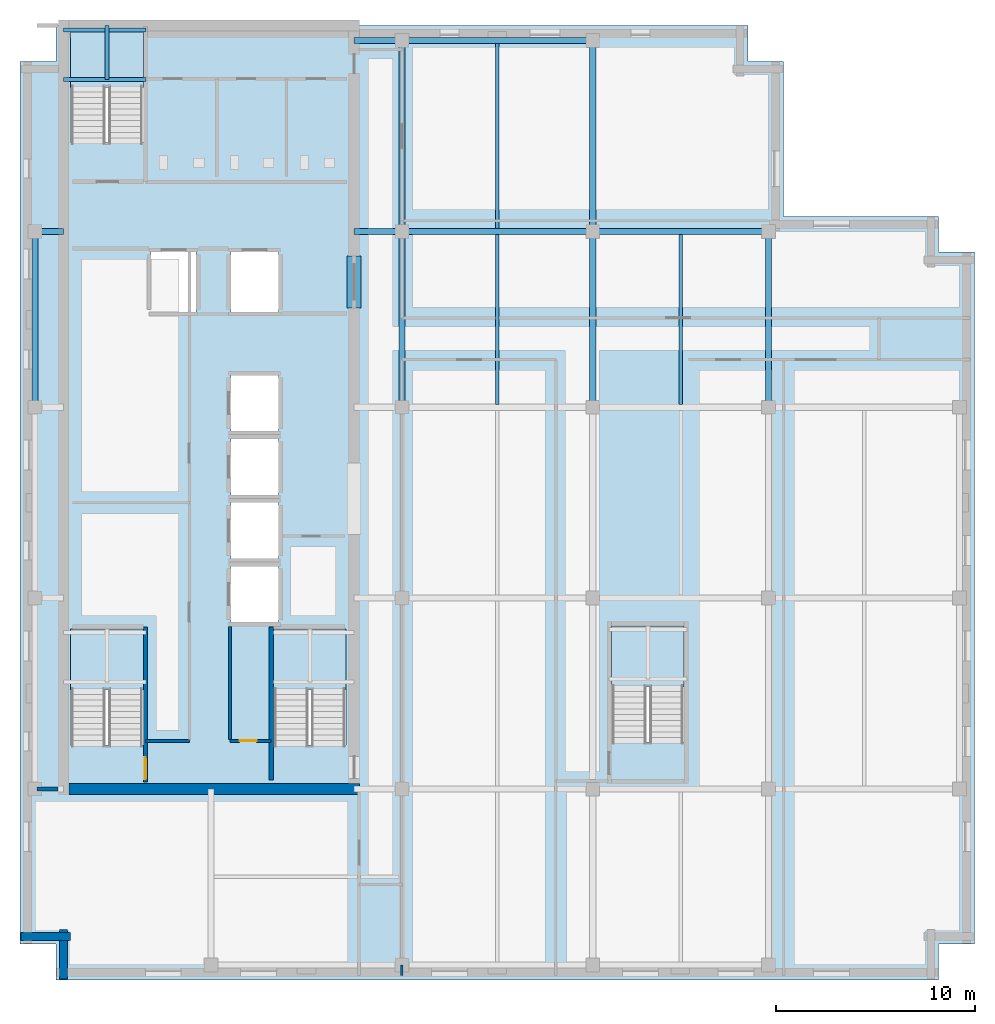
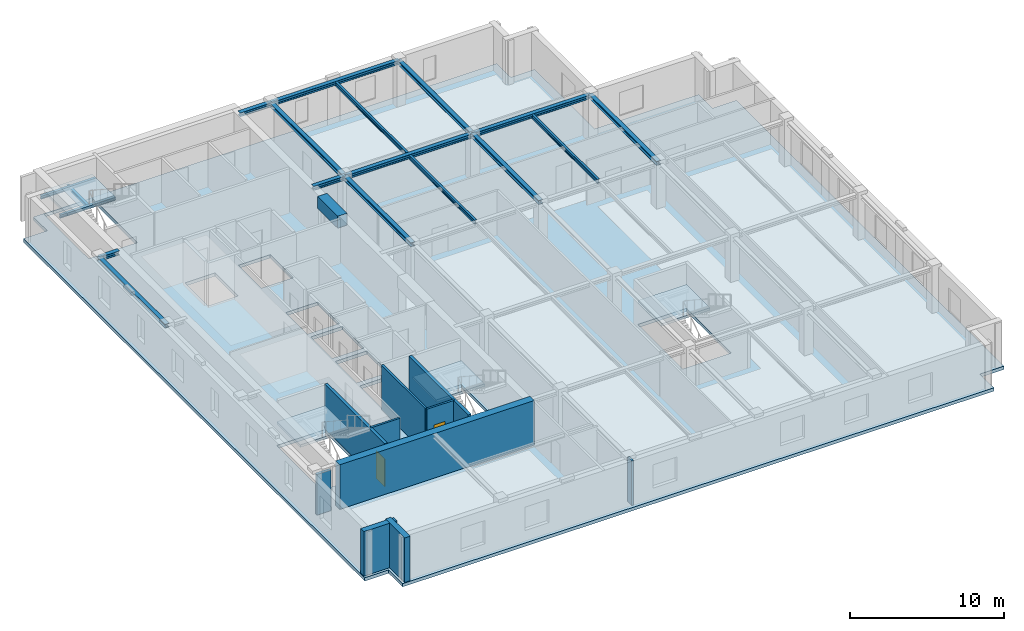
# One storey, part 2 of 11: 19 beams, 10 walls, 5 slabs, 2 doors, 2 openings, 4 elements without a shape of their own.
"""IFC4 building model written with IfcOpenShell, lengths in metres."""

from ifc_helpers import new_model, si_unit, direction, frame, frame_2d, origin, origin_2d, place, context, subcontext, project, spatial, polyline, rectangle, i_section, outline, extrude, material, layer, layer_set, material_profile, profile_set, type_object, element, fill, aggregate, save


model = new_model("IFC4")

# Units and contexts
model_context = context("Model", 3, precision=1e-05, world=origin(), true_north=direction((0.0, 1.0)))
body_context = subcontext(model_context, "Body", "Model", "MODEL_VIEW")
ifc_project = project(units=[si_unit("LENGTHUNIT", "METRE"), si_unit("AREAUNIT", "SQUARE_METRE"), si_unit("VOLUMEUNIT", "CUBIC_METRE"), si_unit("PLANEANGLEUNIT", "RADIAN"), si_unit("MASSUNIT", "GRAM", prefix="KILO")], contexts=[model_context])

# Site, building, storey
site_placement = place(None, origin())
site = spatial("IfcSite", under=ifc_project, at=site_placement, CompositionType="ELEMENT")
building_placement = place(site_placement, origin())
building = spatial("IfcBuilding", under=site, at=building_placement, Name="Norrvale University Quadrangle", CompositionType="ELEMENT")
storey_placement = place(building_placement, frame((0.0, 0.0, 300.0)))
storey = spatial("IfcBuildingStorey", under=building, at=storey_placement, Name="L76", CompositionType="ELEMENT", Elevation=300.0)

# Beams
ifc_material_1 = material(Name="Steel 350W", Category="steel")
ifc_material_profile_1 = material_profile(ifc_material_1, i_section(OverallWidth=0.1669921875, OverallDepth=0.31689453125, WebThickness=0.007568359375, FlangeThickness=0.01318359375, FilletRadius=0.010009765625, at=origin_2d()), Name="Steel 350W")
ifc_profile_set_1 = profile_set([ifc_material_profile_1], Name="Steel 350W")
beam_type_1 = type_object("IfcBeamType", Name="Beam Canopy Purlin W310x52", PredefinedType="USERDEFINED", material=ifc_profile_set_1)
beam_1_placement = place(storey_placement, frame((24.0, 28.952392578125, 3.381591796875), z_axis=(0.0, 1.0, 0.0), x_axis=(-1.0, 0.0, 0.0)))
element("IfcBeam", 1, at=beam_1_placement, inside=storey, type_object=beam_type_1, Name="Beam Canopy Purlin W310x52 BM-L76-J047", ObjectType="PURLIN", PredefinedType="USERDEFINED", context=body_context, shape_type="SweptSolid", body=[
    extrude(i_section(OverallWidth=0.1669921875, OverallDepth=0.31689453125, WebThickness=0.007568359375, FlangeThickness=0.01318359375, FilletRadius=0.010009765625, at=origin_2d()), origin(), (0.0, 0.0, 1.0), 8.545166015625),
])
beam_2_placement = place(storey_placement, frame((24.0, 37.802490234375, 3.381591796875), z_axis=(0.0, 1.0, 0.0), x_axis=(-1.0, 0.0, 0.0)))
element("IfcBeam", 2, at=beam_2_placement, inside=storey, type_object=beam_type_1, Name="Beam Canopy Purlin W310x52 BM-L76-J048", ObjectType="PURLIN", PredefinedType="USERDEFINED", context=body_context, shape_type="SweptSolid", body=[
    extrude(i_section(OverallWidth=0.1669921875, OverallDepth=0.31689453125, WebThickness=0.007568359375, FlangeThickness=0.01318359375, FilletRadius=0.010009765625, at=origin_2d()), origin(), (0.0, 0.0, 1.0), 9.294921875),
])
beam_3_placement = place(storey_placement, frame((33.22509765625, 28.952392578125, 3.381591796875), z_axis=(0.0, 1.0, 0.0), x_axis=(-1.0, 0.0, 0.0)))
element("IfcBeam", 3, at=beam_3_placement, inside=storey, type_object=beam_type_1, Name="Beam Canopy Purlin W310x52 BM-L76-J051", ObjectType="PURLIN", PredefinedType="USERDEFINED", context=body_context, shape_type="SweptSolid", body=[
    extrude(i_section(OverallWidth=0.1669921875, OverallDepth=0.31689453125, WebThickness=0.007568359375, FlangeThickness=0.01318359375, FilletRadius=0.010009765625, at=origin_2d()), origin(), (0.0, 0.0, 1.0), 8.545166015625),
])
ifc_material_profile_2 = material_profile(ifc_material_1, i_section(OverallWidth=0.304931640625, OverallDepth=0.30810546875, WebThickness=0.010009765625, FlangeThickness=0.015380859375, FilletRadius=0.014892578125, at=origin_2d()), Name="Steel 350W")
ifc_profile_set_2 = profile_set([ifc_material_profile_2], Name="Steel 350W")
beam_type_2 = type_object("IfcBeamType", Name="Beam Canopy W310x97", PredefinedType="BEAM", material=ifc_profile_set_2)
beam_4_placement = place(storey_placement, frame((19.199951171875, 37.64990234375, 3.385986328125), z_axis=(1.0, 0.0, 0.0), x_axis=(0.0, 1.0, 0.0)))
element("IfcBeam", 4, at=beam_4_placement, inside=storey, type_object=beam_type_2, Name="Beam Canopy W310x97 BM-L76-GX013", PredefinedType="BEAM", context=body_context, shape_type="SweptSolid", body=[
    extrude(i_section(OverallWidth=0.304931640625, OverallDepth=0.30810546875, WebThickness=0.010009765625, FlangeThickness=0.015380859375, FilletRadius=0.014892578125, at=origin_2d()), origin(), (0.0, 0.0, 1.0), 9.60009765625),
])
beam_5_placement = place(storey_placement, frame((28.800048828125, 37.64990234375, 3.385986328125), z_axis=(1.0, 0.0, 0.0), x_axis=(0.0, 1.0, 0.0)))
element("IfcBeam", 5, at=beam_5_placement, inside=storey, type_object=beam_type_2, Name="Beam Canopy W310x97 BM-L76-GX014", PredefinedType="BEAM", context=body_context, shape_type="SweptSolid", body=[
    extrude(i_section(OverallWidth=0.304931640625, OverallDepth=0.30810546875, WebThickness=0.010009765625, FlangeThickness=0.015380859375, FilletRadius=0.014892578125, at=origin_2d()), origin(), (0.0, 0.0, 1.0), 8.849853515625),
])
beam_6_placement = place(storey_placement, frame((19.199951171875, 47.25, 3.385986328125), z_axis=(1.0, 0.0, 0.0), x_axis=(0.0, 1.0, 0.0)))
element("IfcBeam", 6, at=beam_6_placement, inside=storey, type_object=beam_type_2, Name="Beam Canopy W310x97 BM-L76-GX015", PredefinedType="BEAM", context=body_context, shape_type="SweptSolid", body=[
    extrude(i_section(OverallWidth=0.304931640625, OverallDepth=0.30810546875, WebThickness=0.010009765625, FlangeThickness=0.015380859375, FilletRadius=0.014892578125, at=origin_2d()), origin(), (0.0, 0.0, 1.0), 9.60009765625),
])
for number, where, z_axis, x_axis, name in (
    (7, (0.75, 28.800048828125, 3.385986328125), (0.0, 1.0, 0.0), (-1.0, 0.0, 0.0), "Beam Canopy W310x97 BM-L76-GY018"),
    (8, (19.199951171875, 28.800048828125, 3.385986328125), (0.0, 1.0, 0.0), (-1.0, 0.0, 0.0), "Beam Canopy W310x97 BM-L76-GY022"),
):
    element("IfcBeam", number, at=place(storey_placement, frame(where, z_axis=z_axis, x_axis=x_axis)), inside=storey, type_object=beam_type_2, Name=name, PredefinedType="BEAM", context=body_context, shape_type="SweptSolid", body=[
        extrude(i_section(OverallWidth=0.304931640625, OverallDepth=0.30810546875, WebThickness=0.010009765625, FlangeThickness=0.015380859375, FilletRadius=0.014892578125, at=origin_2d()), origin(), (0.0, 0.0, 1.0), 8.849853515625),
    ])
beam_7_placement = place(storey_placement, frame((19.199951171875, 37.64990234375, 3.385986328125), z_axis=(0.0, 1.0, 0.0), x_axis=(-1.0, 0.0, 0.0)))
element("IfcBeam", 9, at=beam_7_placement, inside=storey, type_object=beam_type_2, Name="Beam Canopy W310x97 BM-L76-GY023", PredefinedType="BEAM", context=body_context, shape_type="SweptSolid", body=[
    extrude(i_section(OverallWidth=0.304931640625, OverallDepth=0.30810546875, WebThickness=0.010009765625, FlangeThickness=0.015380859375, FilletRadius=0.014892578125, at=origin_2d()), origin(), (0.0, 0.0, 1.0), 9.60009765625),
])
beam_8_placement = place(storey_placement, frame((28.800048828125, 28.800048828125, 3.385986328125), z_axis=(0.0, 1.0, 0.0), x_axis=(-1.0, 0.0, 0.0)))
element("IfcBeam", 10, at=beam_8_placement, inside=storey, type_object=beam_type_2, Name="Beam Canopy W310x97 BM-L76-GY027", PredefinedType="BEAM", context=body_context, shape_type="SweptSolid", body=[
    extrude(i_section(OverallWidth=0.304931640625, OverallDepth=0.30810546875, WebThickness=0.010009765625, FlangeThickness=0.015380859375, FilletRadius=0.014892578125, at=origin_2d()), origin(), (0.0, 0.0, 1.0), 8.849853515625),
])
beam_9_placement = place(storey_placement, frame((28.800048828125, 37.64990234375, 3.385986328125), z_axis=(0.0, 1.0, 0.0), x_axis=(-1.0, 0.0, 0.0)))
element("IfcBeam", 11, at=beam_9_placement, inside=storey, type_object=beam_type_2, Name="Beam Canopy W310x97 BM-L76-GY028", PredefinedType="BEAM", context=body_context, shape_type="SweptSolid", body=[
    extrude(i_section(OverallWidth=0.304931640625, OverallDepth=0.30810546875, WebThickness=0.010009765625, FlangeThickness=0.015380859375, FilletRadius=0.014892578125, at=origin_2d()), origin(), (0.0, 0.0, 1.0), 9.60009765625),
])
beam_10_placement = place(storey_placement, frame((37.64990234375, 28.800048828125, 3.385986328125), z_axis=(0.0, 1.0, 0.0), x_axis=(-1.0, 0.0, 0.0)))
element("IfcBeam", 12, at=beam_10_placement, inside=storey, type_object=beam_type_2, Name="Beam Canopy W310x97 BM-L76-GY032", PredefinedType="BEAM", context=body_context, shape_type="SweptSolid", body=[
    extrude(i_section(OverallWidth=0.304931640625, OverallDepth=0.30810546875, WebThickness=0.010009765625, FlangeThickness=0.015380859375, FilletRadius=0.014892578125, at=origin_2d()), origin(), (0.0, 0.0, 1.0), 8.849853515625),
])
beam_11_placement = place(storey_placement, frame((0.75, 37.64990234375, 3.385986328125), z_axis=(1.0, 0.0, 0.0), x_axis=(0.0, 1.0, 0.0)))
element("IfcBeam", 13, at=beam_11_placement, inside=storey, type_object=beam_type_2, Name="Beam Canopy W310x97 BM-L76-GCW041", PredefinedType="BEAM", context=body_context, shape_type="SweptSolid", body=[
    extrude(i_section(OverallWidth=0.304931640625, OverallDepth=0.30810546875, WebThickness=0.010009765625, FlangeThickness=0.015380859375, FilletRadius=0.014892578125, at=origin_2d()), origin(), (0.0, 0.0, 1.0), 1.449951171875),
])
for number, where, z_axis, x_axis, name in (
    (14, (16.800048828125, 37.64990234375, 3.385986328125), (1.0, 0.0, 0.0), (0.0, 1.0, 0.0), "Beam Canopy W310x97 BM-L76-GCE042"),
    (15, (16.800048828125, 47.25, 3.385986328125), (1.0, 0.0, 0.0), (0.0, 1.0, 0.0), "Beam Canopy W310x97 BM-L76-GCE043"),
):
    element("IfcBeam", number, at=place(storey_placement, frame(where, z_axis=z_axis, x_axis=x_axis)), inside=storey, type_object=beam_type_2, Name=name, PredefinedType="BEAM", context=body_context, shape_type="SweptSolid", body=[
        extrude(i_section(OverallWidth=0.304931640625, OverallDepth=0.30810546875, WebThickness=0.010009765625, FlangeThickness=0.015380859375, FilletRadius=0.014892578125, at=origin_2d()), origin(), (0.0, 0.0, 1.0), 2.39990234375),
    ])
ifc_material_2 = material(Name="Concrete C80/95", Category="concrete")
ifc_material_profile_3 = material_profile(ifc_material_2, rectangle(XDim=0.699951171875, YDim=0.949951171875, at=origin_2d()), Name="Concrete C80/95")
ifc_profile_set_3 = profile_set([ifc_material_profile_3], Name="Concrete C80/95")
beam_type_3 = type_object("IfcBeamType", Name="Beam Core Link 700x950", PredefinedType="LINTEL", material=ifc_profile_set_3)
beam_12_placement = place(storey_placement, frame((16.800048828125, 33.800048828125, 3.06494140625), z_axis=(0.0, 1.0, 0.0), x_axis=(-1.0, 0.0, 0.0)))
element("IfcBeam", 16, at=beam_12_placement, inside=storey, type_object=beam_type_3, Name="Core Coupling Lintel Beam L76-2", PredefinedType="LINTEL", context=body_context, shape_type="SweptSolid", body=[
    extrude(rectangle(XDim=0.699951171875, YDim=0.949951171875, at=origin_2d()), origin(), (0.0, 0.0, 1.0), 2.599853515625),
])
ifc_material_profile_4 = material_profile(ifc_material_1, i_section(OverallWidth=0.201904296875, OverallDepth=0.2470703125, WebThickness=0.00732421875, FlangeThickness=0.010986328125, FilletRadius=0.011962890625, at=origin_2d()), Name="Steel 350W")
ifc_profile_set_4 = profile_set([ifc_material_profile_4], Name="Steel 350W")
beam_type_4 = type_object("IfcBeamType", Name="Beam Stair W250x49", PredefinedType="BEAM", material=ifc_profile_set_4)
for number, where, z_axis, x_axis, name in (
    (17, (2.199951171875, 45.2900390625, 1.576416015625), (1.0, 0.0, 0.0), (0.0, 1.0, 0.0), "Stair Mid-Landing Front Beam ST-02 L76"),
    (18, (2.199951171875, 47.77001953125, 1.576416015625), (1.0, 0.0, 0.0), (0.0, 1.0, 0.0), "Stair Mid-Landing Rear Beam ST-02 L76"),
):
    element("IfcBeam", number, at=place(storey_placement, frame(where, z_axis=z_axis, x_axis=x_axis)), inside=storey, type_object=beam_type_4, Name=name, PredefinedType="BEAM", context=body_context, shape_type="SweptSolid", body=[
        extrude(i_section(OverallWidth=0.201904296875, OverallDepth=0.2470703125, WebThickness=0.00732421875, FlangeThickness=0.010986328125, FilletRadius=0.011962890625, at=origin_2d()), origin(), (0.0, 0.0, 1.0), 4.14013671875),
    ])
ifc_material_profile_5 = material_profile(ifc_material_1, i_section(OverallWidth=0.202880859375, OverallDepth=0.202880859375, WebThickness=0.007080078125, FlangeThickness=0.010986328125, FilletRadius=0.010009765625, at=origin_2d()), Name="Steel 350W")
ifc_profile_set_5 = profile_set([ifc_material_profile_5], Name="Steel 350W")
beam_type_5 = type_object("IfcBeamType", Name="Beam Trim W200x46", PredefinedType="BEAM", material=ifc_profile_set_5)
beam_13_placement = place(storey_placement, frame((4.375, 45.2900390625, 1.598388671875), z_axis=(0.0, 1.0, 0.0), x_axis=(-1.0, 0.0, 0.0)))
element("IfcBeam", 19, at=beam_13_placement, inside=storey, type_object=beam_type_5, Name="Stair Mid-Landing Cross Beam ST-02 L76", PredefinedType="BEAM", context=body_context, shape_type="SweptSolid", body=[
    extrude(i_section(OverallWidth=0.202880859375, OverallDepth=0.202880859375, WebThickness=0.007080078125, FlangeThickness=0.010986328125, FilletRadius=0.010009765625, at=origin_2d()), origin(), (0.0, 0.0, 1.0), 2.7099609375),
])

# Stair, slab
ifc_material_3 = material(Name="Concrete C40/50", Category="concrete")
stair_type = type_object("IfcStairType", Name="Stair Tower Typ 3800", PredefinedType="TWO_STRAIGHT_RUN_STAIR", material=ifc_material_3)
stair_1_placement = place(storey_placement, origin())
stair_1 = element("IfcStair", 20, at=stair_1_placement, inside=storey, type_object=stair_type, Name="Exit Stair ST-01 L76", PredefinedType="TWO_STRAIGHT_RUN_STAIR")
ifc_layer_1 = layer(ifc_material_3, 0.199951171875, Name="Concrete C40/50")
ifc_layer_set_1 = layer_set([ifc_layer_1], Name="Concrete C40/50")
slab_type_1 = type_object("IfcSlabType", Name="Slab Landing 200", PredefinedType="LANDING", material=ifc_layer_set_1)
slab_1_placement = place(storey_placement, frame((0.0, 0.0, 1.699951171875)))
slab_1 = element("IfcSlab", 21, at=slab_1_placement, type_object=slab_type_1, Name="Exit Stair ST-01 L76 Mid Landing", PredefinedType="LANDING", context=body_context, shape_type="SweptSolid", body=[
    extrude(outline(polyline([(2.550048828125, 14.590087890625), (6.199951171875, 14.590087890625), (6.199951171875, 17.64990234375), (2.550048828125, 17.64990234375), (2.550048828125, 14.590087890625)])), origin(), (0.0, 0.0, 1.0), 0.199951171875),
])
aggregate(stair_1, [slab_1])

stair_2_placement = place(storey_placement, origin())
stair_2 = element("IfcStair", 22, at=stair_2_placement, inside=storey, type_object=stair_type, Name="Exit Stair ST-02 L76", PredefinedType="TWO_STRAIGHT_RUN_STAIR")
slab_2_placement = place(storey_placement, frame((0.0, 0.0, 1.699951171875)))
slab_2 = element("IfcSlab", 23, at=slab_2_placement, type_object=slab_type_1, Name="Exit Stair ST-02 L76 Mid Landing", PredefinedType="LANDING", context=body_context, shape_type="SweptSolid", body=[
    extrude(outline(polyline([(2.550048828125, 44.889892578125), (6.199951171875, 44.889892578125), (6.199951171875, 47.949951171875), (2.550048828125, 47.949951171875), (2.550048828125, 44.889892578125)])), origin(), (0.0, 0.0, 1.0), 0.199951171875),
])
aggregate(stair_2, [slab_2])

stair_3_placement = place(storey_placement, origin())
stair_3 = element("IfcStair", 24, at=stair_3_placement, inside=storey, type_object=stair_type, Name="Exit Stair ST-03 L76", PredefinedType="TWO_STRAIGHT_RUN_STAIR")
slab_3_placement = place(storey_placement, frame((0.0, 0.0, 1.699951171875)))
slab_3 = element("IfcSlab", 25, at=slab_3_placement, type_object=slab_type_1, Name="Exit Stair ST-03 L76 Mid Landing", PredefinedType="LANDING", context=body_context, shape_type="SweptSolid", body=[
    extrude(outline(polyline([(12.75, 14.590087890625), (16.39990234375, 14.590087890625), (16.39990234375, 17.64990234375), (12.75, 17.64990234375), (12.75, 14.590087890625)])), origin(), (0.0, 0.0, 1.0), 0.199951171875),
])
aggregate(stair_3, [slab_3])

stair_4_placement = place(storey_placement, origin())
stair_4 = element("IfcStair", 26, at=stair_4_placement, inside=storey, type_object=stair_type, Name="Exit Stair ST-04 L76", PredefinedType="TWO_STRAIGHT_RUN_STAIR")
slab_4_placement = place(storey_placement, frame((0.0, 0.0, 1.699951171875)))
slab_4 = element("IfcSlab", 27, at=slab_4_placement, type_object=slab_type_1, Name="Exit Stair ST-04 L76 Mid Landing", PredefinedType="LANDING", context=body_context, shape_type="SweptSolid", body=[
    extrude(outline(polyline([(29.75, 14.739990234375), (33.39990234375, 14.739990234375), (33.39990234375, 17.800048828125), (29.75, 17.800048828125), (29.75, 14.739990234375)])), origin(), (0.0, 0.0, 1.0), 0.199951171875),
])
aggregate(stair_4, [slab_4])

# Slab
ifc_layer_2 = layer(ifc_material_3, 0.260009765625, Name="Concrete C40/50")
ifc_layer_set_2 = layer_set([ifc_layer_2], Name="Concrete C40/50")
slab_type_2 = type_object("IfcSlabType", Name="Slab Tower Typ 260", PredefinedType="FLOOR", material=ifc_layer_set_2)
slab_5_placement = place(storey_placement, frame((0.0, 0.0, -0.260009765625)))
element("IfcSlab", 28, at=slab_5_placement, inside=storey, type_object=slab_type_2, Name="Tower L76 Floor Slab", PredefinedType="FLOOR", context=body_context, shape_type="SweptSolid", body=[
    extrude(outline(polyline([(1.800048828125, 0.0), (46.199951171875, 0.0), (46.199951171875, 1.800048828125), (48.0, 1.800048828125), (48.0, 36.60009765625), (46.199951171875, 36.60009765625), (46.199951171875, 38.39990234375), (38.39990234375, 38.39990234375), (38.39990234375, 46.199951171875), (36.60009765625, 46.199951171875), (36.60009765625, 48.0), (1.800048828125, 48.0), (1.800048828125, 46.199951171875), (0.0, 46.199951171875), (0.0, 1.800048828125), (1.800048828125, 1.800048828125), (1.800048828125, 0.0)]), holes=[polyline([(2.550048828125, 11.81005859375), (6.199951171875, 11.81005859375), (6.199951171875, 17.64990234375), (2.550048828125, 17.64990234375), (2.550048828125, 11.81005859375)]), polyline([(2.550048828125, 42.110107421875), (6.199951171875, 42.110107421875), (6.199951171875, 47.949951171875), (2.550048828125, 47.949951171875), (2.550048828125, 42.110107421875)]), polyline([(12.75, 11.81005859375), (16.39990234375, 11.81005859375), (16.39990234375, 17.64990234375), (12.75, 17.64990234375), (12.75, 11.81005859375)]), polyline([(29.75, 11.9599609375), (33.39990234375, 11.9599609375), (33.39990234375, 17.800048828125), (29.75, 17.800048828125), (29.75, 11.9599609375)]), polyline([(10.60009765625, 18.0), (13.0, 18.0), (13.0, 20.800048828125), (10.60009765625, 20.800048828125), (10.60009765625, 18.0)]), polyline([(10.60009765625, 21.199951171875), (13.0, 21.199951171875), (13.0, 24.0), (10.60009765625, 24.0), (10.60009765625, 21.199951171875)]), polyline([(10.60009765625, 24.39990234375), (13.0, 24.39990234375), (13.0, 27.199951171875), (10.60009765625, 27.199951171875), (10.60009765625, 24.39990234375)]), polyline([(10.60009765625, 27.60009765625), (13.0, 27.60009765625), (13.0, 30.39990234375), (10.60009765625, 30.39990234375), (10.60009765625, 27.60009765625)]), polyline([(6.60009765625, 33.60009765625), (8.85009765625, 33.60009765625), (8.85009765625, 36.60009765625), (6.60009765625, 36.60009765625), (6.60009765625, 33.60009765625)]), polyline([(10.60009765625, 33.60009765625), (13.0, 33.60009765625), (13.0, 36.60009765625), (10.60009765625, 36.60009765625), (10.60009765625, 33.60009765625)])]), origin(), (0.0, 0.0, 1.0), 0.260009765625),
])

# Walls
ifc_material_4 = material(Name="Buff Norman Clay Brick Masonry", Category="masonry")
ifc_layer_3 = layer(ifc_material_4, 0.419921875, Name="Buff Norman Clay Brick Masonry")
ifc_layer_set_3 = layer_set([ifc_layer_3], Name="Buff Norman Clay Brick Masonry")
wall_type_1 = type_object("IfcWallType", Name="Wall Buff Brick 420", PredefinedType="SOLIDWALL", material=ifc_layer_set_3)
for number, where, z_axis, x_axis, name in (
    (29, (0.0400390625, 2.18994140625, 0.0), (0.0, 0.0, 1.0), (1.0, 0.0, 0.0), "Exterior Brick Facade Wall L76-15.1"),
    (30, (2.18994140625, 2.5400390625, 0.0), (0.0, 0.0, 1.0), (0.0, -1.0, 0.0), "Exterior Brick Facade Wall L76-16.1"),
):
    element("IfcWall", number, at=place(storey_placement, frame(where, z_axis=z_axis, x_axis=x_axis)), inside=storey, type_object=wall_type_1, Name=name, PredefinedType="SOLIDWALL", context=body_context, shape_type="SweptSolid", body=[
        extrude(rectangle(XDim=2.5, YDim=0.419921875, at=frame_2d((1.25, 0.0))), origin(), (0.0, 0.0, 1.0), 3.5400390625),
    ])
ifc_material_5 = material(Name="Concrete C60/75", Category="concrete")
ifc_layer_4 = layer(ifc_material_5, 0.550048828125, Name="Concrete C60/75")
ifc_layer_set_4 = layer_set([ifc_layer_4], Name="Concrete C60/75")
wall_type_2 = type_object("IfcWallType", Name="Wall Core 550", PredefinedType="SHEAR", material=ifc_layer_set_4)
wall_1_placement = place(storey_placement, frame((2.47509765625, 9.60009765625, 0.0), z_axis=(0.0, 0.0, 1.0), x_axis=(1.0, 0.0, 0.0)))
element("IfcWall", 31, at=wall_1_placement, inside=storey, type_object=wall_type_2, Name="Tower Core Shear Wall L76-S", PredefinedType="SHEAR", context=body_context, shape_type="SweptSolid", body=[
    extrude(rectangle(XDim=14.599853515625, YDim=0.550048828125, at=frame_2d((7.2998046875, 0.0))), origin(), (0.0, 0.0, 1.0), 3.5400390625),
])
ifc_material_6 = material(Name="Standard Academic Gypsum Partition")
ifc_layer_5 = layer(ifc_material_6, 0.125, Name="Standard Academic Gypsum Partition")
ifc_layer_set_5 = layer_set([ifc_layer_5], Name="Standard Academic Gypsum Partition")
wall_type_3 = type_object("IfcWallType", Name="Wall Gypsum Academic 125", PredefinedType="PARTITIONING", material=ifc_layer_set_5)
wall_2_placement = place(storey_placement, frame((19.199951171875, 0.219970703125, 0.0), z_axis=(0.0, 0.0, 1.0), x_axis=(0.0, 1.0, 0.0)))
element("IfcWall", 32, at=wall_2_placement, inside=storey, type_object=wall_type_3, Name="Interior Partition WL-L76-SE-W0", PredefinedType="PARTITIONING", context=body_context, shape_type="SweptSolid", body=[
    extrude(rectangle(XDim=0.530029296875, YDim=0.125, at=frame_2d((0.26513671875, 0.0))), origin(), (0.0, 0.0, 1.0), 3.5400390625),
])

# Wall, opening, door
ifc_material_7 = material(Name="Fire-Rated Gypsum Stud Partition")
ifc_layer_6 = layer(ifc_material_7, 0.14990234375, Name="Fire-Rated Gypsum Stud Partition")
ifc_layer_set_6 = layer_set([ifc_layer_6], Name="Fire-Rated Gypsum Stud Partition")
wall_type_4 = type_object("IfcWallType", Name="Wall Gypsum Corridor 150", PredefinedType="PARTITIONING", material=ifc_layer_set_6)
wall_3_placement = place(storey_placement, frame((10.550048828125, 12.02001953125, 0.0), z_axis=(0.0, 0.0, 1.0), x_axis=(1.0, 0.0, 0.0)))
wall_3 = element("IfcWall", 33, at=wall_3_placement, inside=storey, type_object=wall_type_4, Name="Interior Partition WL-L76-SC-NR", PredefinedType="PARTITIONING", context=body_context, shape_type="SweptSolid", body=[
    extrude(rectangle(XDim=2.079833984375, YDim=0.14990234375, at=frame_2d((1.0400390625, 0.0))), origin(), (0.0, 0.0, 1.0), 3.5400390625),
])
opening_1_placement = place(wall_3_placement, frame((0.5, 0.0, 0.0)))
opening_1 = element("IfcOpeningElement", 34, at=opening_1_placement, cuts=wall_3, Name="Opening D10", PredefinedType="OPENING", context=body_context, shape_type="SweptSolid", body=[
    extrude(rectangle(XDim=0.85009765625, YDim=2.10009765625, at=frame_2d((0.425048828125, 1.050048828125))), frame((0.0, 0.0869140625, 0.0), z_axis=(0.0, -1.0, 0.0), x_axis=(1.0, 0.0, 0.0)), (0.0, 0.0, 1.0), 0.173828125),
])
ifc_material_8 = material(Name="Hollow Steel 350W Riser Fire Door", Category="steel")
door_type_1 = type_object("IfcDoorType", Name="Door Riser 850x2100", OperationType="NOTDEFINED", PredefinedType="DOOR", material=ifc_material_8)
door_1_placement = place(opening_1_placement, origin())
door_1 = element("IfcDoor", 35, at=door_1_placement, inside=storey, type_object=door_type_1, Name="Door Riser 850x2100 DR-L76-IDF", OperationType="SINGLE_SWING_RIGHT", OverallHeight=2.10009765625, OverallWidth=0.85009765625, PredefinedType="DOOR", context=body_context, shape_type="SweptSolid", body=[
    extrude(rectangle(XDim=0.85009765625, YDim=2.10009765625, at=frame_2d((0.425048828125, 1.050048828125))), frame((0.0, 0.02490234375, 0.0), z_axis=(0.0, -1.0, 0.0), x_axis=(1.0, 0.0, 0.0)), (0.0, 0.0, 1.0), 0.050048828125),
])
fill(opening_1, door_1)

# Walls
wall_4_placement = place(storey_placement, frame((10.550048828125, 12.094970703125, 0.0), z_axis=(0.0, 0.0, 1.0), x_axis=(0.0, 1.0, 0.0)))
element("IfcWall", 36, at=wall_4_placement, inside=storey, type_object=wall_type_4, Name="Interior Partition WL-L76-SC-WR", PredefinedType="PARTITIONING", context=body_context, shape_type="SweptSolid", body=[
    extrude(rectangle(XDim=5.679931640625, YDim=0.14990234375, at=frame_2d((2.83984375, 0.0))), origin(), (0.0, 0.0, 1.0), 3.5400390625),
])
wall_5_placement = place(storey_placement, frame((6.320068359375, 12.02001953125, 0.0), z_axis=(0.0, 0.0, 1.0), x_axis=(1.0, 0.0, 0.0)))
element("IfcWall", 37, at=wall_5_placement, inside=storey, type_object=wall_type_4, Name="Interior Partition WL-L76-REC-S", PredefinedType="PARTITIONING", context=body_context, shape_type="SweptSolid", body=[
    extrude(rectangle(XDim=2.199951171875, YDim=0.14990234375, at=frame_2d((1.10009765625, 0.0))), origin(), (0.0, 0.0, 1.0), 3.5400390625),
])
ifc_material_9 = material(Name="Concrete Blockwork 20 MPa Rated Wall", Category="masonry")
ifc_layer_7 = layer(ifc_material_9, 0.199951171875, Name="Concrete Blockwork 20 MPa Rated Wall")
ifc_layer_set_7 = layer_set([ifc_layer_7], Name="Concrete Blockwork 20 MPa Rated Wall")
wall_type_5 = type_object("IfcWallType", Name="Wall Lobby 200", PredefinedType="SOLIDWALL", material=ifc_layer_set_7)
wall_6_placement = place(storey_placement, frame((0.85009765625, 9.60009765625, 0.0), z_axis=(0.0, 0.0, 1.0), x_axis=(1.0, 0.0, 0.0)))
element("IfcWall", 38, at=wall_6_placement, inside=storey, type_object=wall_type_5, Name="Interior Partition WL-L76-CWRET-S", PredefinedType="SOLIDWALL", context=body_context, shape_type="SweptSolid", body=[
    extrude(rectangle(XDim=1.06982421875, YDim=0.199951171875, at=frame_2d((0.534912109375, 0.0))), origin(), (0.0, 0.0, 1.0), 3.23193359375),
])

# Wall, opening, door
ifc_material_10 = material(Name="Concrete Blockwork 20 MPa Fire Shaft", Category="masonry")
ifc_layer_8 = layer(ifc_material_10, 0.219970703125, Name="Concrete Blockwork 20 MPa Fire Shaft")
ifc_layer_set_8 = layer_set([ifc_layer_8], Name="Concrete Blockwork 20 MPa Fire Shaft")
wall_type_6 = type_object("IfcWallType", Name="Wall Shaft 220", PredefinedType="SOLIDWALL", material=ifc_layer_set_8)
wall_7_placement = place(storey_placement, frame((6.31005859375, 9.949951171875, 0.0), z_axis=(0.0, 0.0, 1.0), x_axis=(0.0, 1.0, 0.0)))
wall_7 = element("IfcWall", 39, at=wall_7_placement, inside=storey, type_object=wall_type_6, Name="Stair ST-01 East Shaft Wall L76", PredefinedType="SOLIDWALL", context=body_context, shape_type="SweptSolid", body=[
    extrude(rectangle(XDim=7.81005859375, YDim=0.219970703125, at=frame_2d((3.905029296875, 0.0))), origin(), (0.0, 0.0, 1.0), 3.5400390625),
])
opening_2_placement = place(wall_7_placement, frame((0.139892578125, 0.0, 0.0)))
opening_2 = element("IfcOpeningElement", 40, at=opening_2_placement, cuts=wall_7, Name="Opening D02", PredefinedType="OPENING", context=body_context, shape_type="SweptSolid", body=[
    extrude(rectangle(XDim=1.10009765625, YDim=2.199951171875, at=frame_2d((0.550048828125, 1.10009765625))), frame((0.0, 0.1220703125, 0.0), z_axis=(0.0, -1.0, 0.0), x_axis=(1.0, 0.0, 0.0)), (0.0, 0.0, 1.0), 0.243896484375),
])
ifc_material_11 = material(Name="Hollow Steel 350W Fire Door", Category="steel")
door_type_2 = type_object("IfcDoorType", Name="Door Stair Exit 1100x2200", OperationType="NOTDEFINED", PredefinedType="DOOR", material=ifc_material_11)
door_2_placement = place(opening_2_placement, origin())
door_2 = element("IfcDoor", 41, at=door_2_placement, inside=storey, type_object=door_type_2, Name="Door Stair Exit 1100x2200 DR-L76-ST01", OperationType="SINGLE_SWING_LEFT", OverallHeight=2.199951171875, OverallWidth=1.10009765625, PredefinedType="DOOR", context=body_context, shape_type="SweptSolid", body=[
    extrude(rectangle(XDim=1.10009765625, YDim=2.199951171875, at=frame_2d((0.550048828125, 1.10009765625))), frame((0.0, 0.02490234375, 0.0), z_axis=(0.0, -1.0, 0.0), x_axis=(1.0, 0.0, 0.0)), (0.0, 0.0, 1.0), 0.050048828125),
])
fill(opening_2, door_2)

# Wall
wall_8_placement = place(storey_placement, frame((12.639892578125, 10.050048828125, 0.0), z_axis=(0.0, 0.0, 1.0), x_axis=(0.0, 1.0, 0.0)))
element("IfcWall", 42, at=wall_8_placement, inside=storey, type_object=wall_type_6, Name="Stair ST-03 West Shaft Wall L76", PredefinedType="SOLIDWALL", context=body_context, shape_type="SweptSolid", body=[
    extrude(rectangle(XDim=7.7099609375, YDim=0.219970703125, at=frame_2d((3.85498046875, 0.0))), origin(), (0.0, 0.0, 1.0), 3.5400390625),
])

save(model, "model.ifc")
